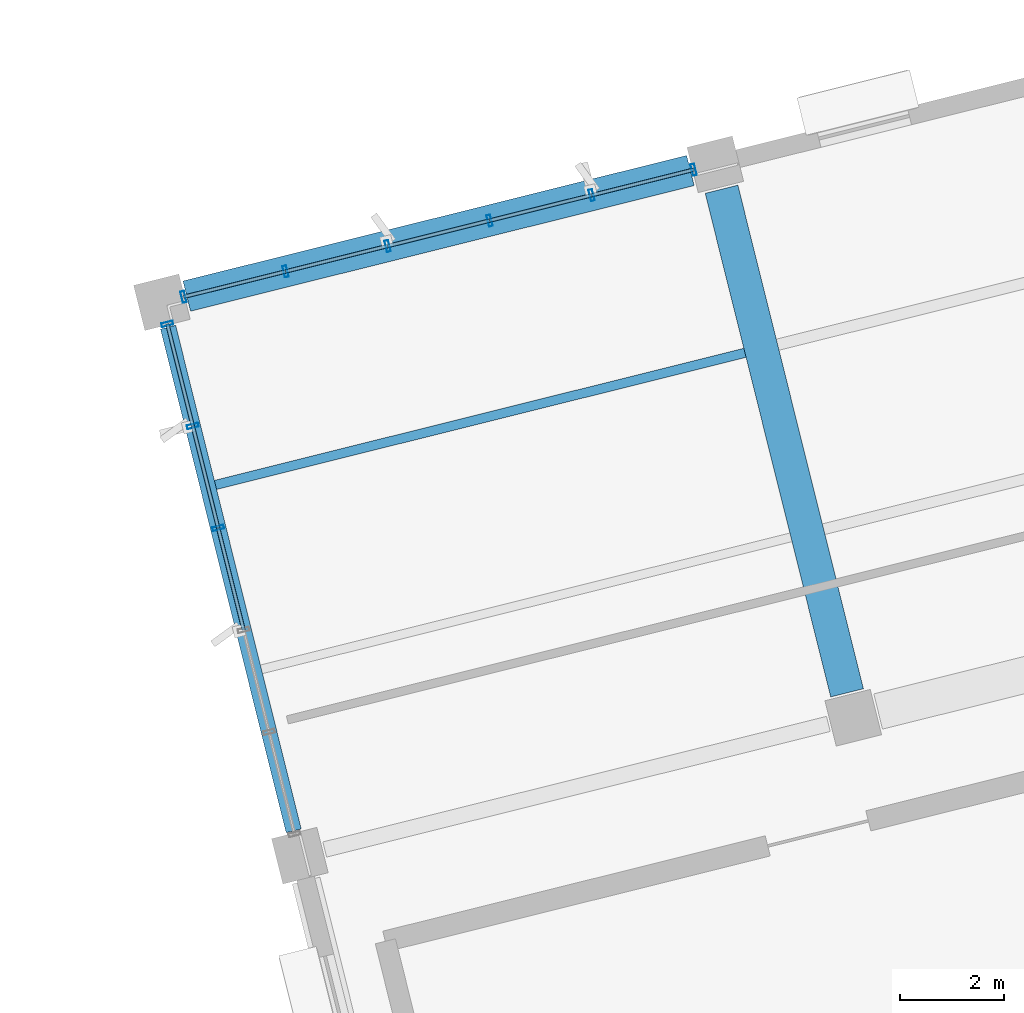
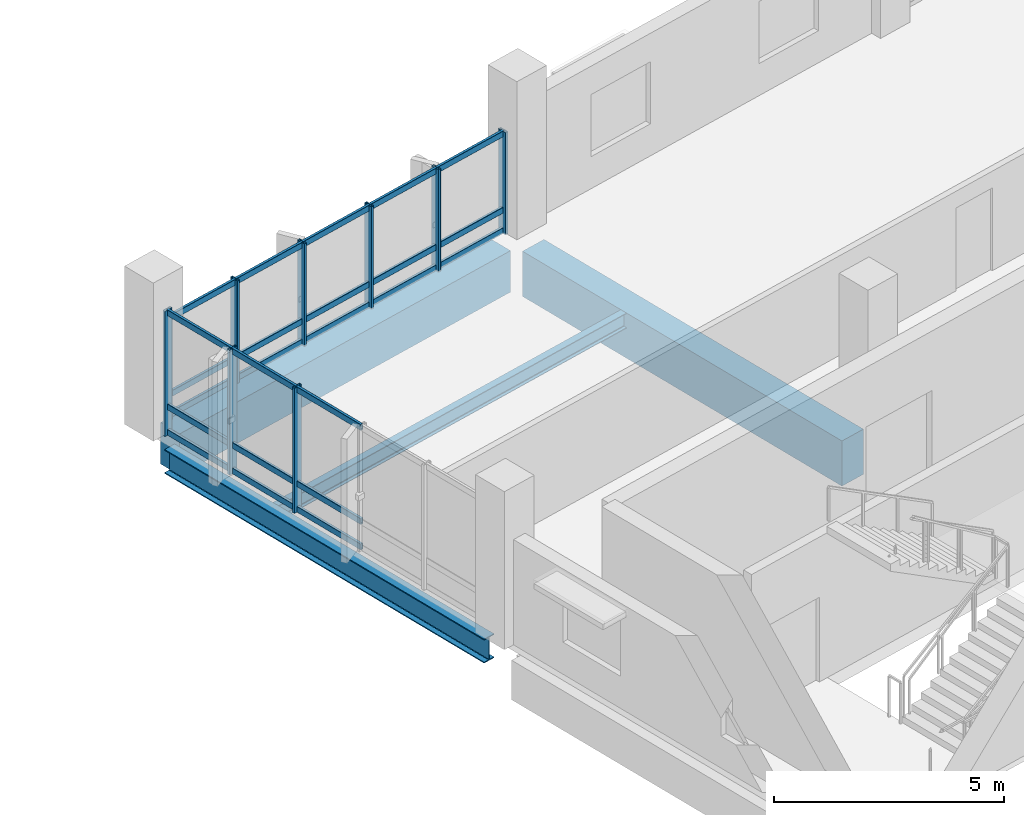
# One storey, part 4 of 42: 33 members, 4 beams, 2 elements without a shape of their own.
"""IFC4 building model written with IfcOpenShell, lengths in metres."""

from ifc_helpers import new_model, si_unit, direction, frame, origin, origin_2d, place, context, subcontext, project, spatial, rectangle, hollow_rectangle, i_section, extrude, material, layer, layer_set, material_profile, profile_set, type_object, element, aggregate, save


model = new_model("IFC4")

# Units and contexts
model_context = context("Model", 3, precision=1e-05, world=origin(), true_north=direction((0.0, 1.0)))
body_context = subcontext(model_context, "Body", "Model", "MODEL_VIEW")
ifc_project = project(units=[si_unit("LENGTHUNIT", "METRE"), si_unit("AREAUNIT", "SQUARE_METRE"), si_unit("VOLUMEUNIT", "CUBIC_METRE"), si_unit("PLANEANGLEUNIT", "RADIAN"), si_unit("MASSUNIT", "GRAM", prefix="KILO")], contexts=[model_context])

# Site, building, storey
site_placement = place(None, origin())
site = spatial("IfcSite", under=ifc_project, at=site_placement, CompositionType="ELEMENT")
building_placement = place(site_placement, origin())
building = spatial("IfcBuilding", under=site, at=building_placement, Name="Khorjan Park Terminus", CompositionType="ELEMENT")
storey_placement = place(building_placement, frame((0.0, 0.0, 20.4)))
storey = spatial("IfcBuildingStorey", under=building, at=storey_placement, Name="L04", CompositionType="ELEMENT", Elevation=20.4)

# Beams
ifc_material_1 = material(Name="Steel S355", Category="steel")
ifc_material_profile_1 = material_profile(ifc_material_1, i_section(OverallWidth=0.3, OverallDepth=0.64, WebThickness=0.0135, FlangeThickness=0.026, FilletRadius=0.027, at=origin_2d()), Name="HEA 650")
ifc_profile_set_1 = profile_set([ifc_material_profile_1], Name="Steel S355")
beam_type_1 = type_object("IfcBeamType", Name="BM-HEA650", PredefinedType="BEAM", material=ifc_profile_set_1)
beam_1_placement = place(storey_placement, frame((173.8924, 15.8147, -0.66), z_axis=(-0.241926777576, 0.970294509049, 0.0), x_axis=(-0.970294509049, -0.241926777576, 0.0)))
element("IfcBeam", 1, at=beam_1_placement, inside=storey, type_object=beam_type_1, Name="Primary skew-grid floor girder SB-A65 (L04)", PredefinedType="BEAM", context=body_context, shape_type="SweptSolid", body=[
    extrude(i_section(OverallWidth=0.3, OverallDepth=0.64, WebThickness=0.0135, FlangeThickness=0.026, FilletRadius=0.027, at=origin_2d()), origin(), (0.0, 0.0, 1.0), 10.0101),
])
ifc_material_2 = material(Name="Concrete C40/50", Category="concrete")
ifc_material_profile_2 = material_profile(ifc_material_2, rectangle(XDim=0.6, YDim=1.1, at=origin_2d()), Name="RC 600x1100")
ifc_profile_set_2 = profile_set([ifc_material_profile_2], Name="Concrete C40/50")
beam_type_2 = type_object("IfcBeamType", Name="BM-RC600x1100", PredefinedType="BEAM", material=ifc_profile_set_2)
beam_2_placement = place(storey_placement, frame((171.8313, 26.1274, -0.89), z_axis=(0.970296269392, 0.24191971727, 0.0), x_axis=(-0.24191971727, 0.970296269392, 0.0)))
element("IfcBeam", 2, at=beam_2_placement, inside=storey, type_object=beam_type_2, Name="Primary skew-grid floor girder GB-11 (L04)", PredefinedType="BEAM", context=body_context, shape_type="SweptSolid", body=[
    extrude(rectangle(XDim=0.6, YDim=1.1, at=origin_2d()), origin(), (0.0, 0.0, 1.0), 10.0099),
])
ifc_material_profile_3 = material_profile(ifc_material_2, rectangle(XDim=0.65, YDim=1.2, at=origin_2d()), Name="RC 650x1200")
ifc_profile_set_3 = profile_set([ifc_material_profile_3], Name="Concrete C40/50")
beam_type_3 = type_object("IfcBeamType", Name="BM-RC650x1200", PredefinedType="BEAM", material=ifc_profile_set_3)
beam_3_placement = place(storey_placement, frame((184.5656, 18.4758, -0.94), z_axis=(-0.241917372283, 0.970296854054, 0.0), x_axis=(-0.970296854054, -0.241917372283, 0.0)))
element("IfcBeam", 3, at=beam_3_placement, inside=storey, type_object=beam_type_3, Name="Primary skew-grid floor girder GB-12 (L04)", PredefinedType="BEAM", context=body_context, shape_type="SweptSolid", body=[
    extrude(rectangle(XDim=0.65, YDim=1.2, at=origin_2d()), origin(), (0.0, 0.0, 1.0), 10.01),
])
ifc_material_profile_4 = material_profile(ifc_material_1, i_section(OverallWidth=0.18, OverallDepth=0.4, WebThickness=0.0086, FlangeThickness=0.0135, FilletRadius=0.021, at=origin_2d()), Name="IPE 400")
ifc_profile_set_4 = profile_set([ifc_material_profile_4], Name="Steel S355")
beam_type_4 = type_object("IfcBeamType", Name="JS-IPE400", PredefinedType="JOIST", material=ifc_profile_set_4)
beam_4_placement = place(storey_placement, frame((172.3836, 22.4862, -0.54), z_axis=(0.970296002015, 0.241920789668, 0.0), x_axis=(-0.241920789668, 0.970296002015, 0.0)))
element("IfcBeam", 4, at=beam_4_placement, inside=storey, type_object=beam_type_4, Name="Secondary composite floor joist SJ-40 (L04)", PredefinedType="JOIST", context=body_context, shape_type="SweptSolid", body=[
    extrude(i_section(OverallWidth=0.18, OverallDepth=0.4, WebThickness=0.0086, FlangeThickness=0.0135, FilletRadius=0.021, at=origin_2d()), origin(), (0.0, 0.0, 1.0), 10.5249),
])

# Curtain wall, members
ifc_material_3 = material(Name="Anodized Bronze Aluminium", Category="aluminium")
ifc_layer = layer(ifc_material_3, 0.22)
ifc_layer_set = layer_set([ifc_layer], Name="Anodized Bronze Aluminium")
curtain_wall_type = type_object("IfcCurtainWallType", Name="CW-OPS-B", PredefinedType="NOTDEFINED", material=ifc_layer_set)
curtain_wall_1_placement = place(storey_placement, origin())
curtain_wall_1 = element("IfcCurtainWall", 5, at=curtain_wall_1_placement, inside=storey, type_object=curtain_wall_type, Name="Unitized curtain wall CW-B (CW-V5-NW2-L04-B03)", PredefinedType="NOTDEFINED")
ifc_material_profile_5 = material_profile(ifc_material_3, hollow_rectangle(XDim=0.075, YDim=0.225, WallThickness=0.005, InnerFilletRadius=0.005, OuterFilletRadius=0.01, at=origin_2d()), Name="ALM 75x225x5")
ifc_profile_set_5 = profile_set([ifc_material_profile_5], Name="Anodized Bronze Aluminium")
member_type_1 = type_object("IfcMemberType", Name="ML-ALM-225", PredefinedType="MULLION", material=ifc_profile_set_5)
member_1_placement = place(storey_placement, frame((181.6068, 28.5647, -0.035), z_axis=(0.0, 0.0, 1.0), x_axis=(-0.9702960401, -0.241920636916, 0.0)))
member_1 = element("IfcMember", 6, at=member_1_placement, type_object=member_type_1, Name="Curtain-wall mullion ML-22 (CW-V5-NW2-L04-B03-0)", PredefinedType="MULLION", context=body_context, shape_type="SweptSolid", body=[
    extrude(hollow_rectangle(XDim=0.075, YDim=0.225, WallThickness=0.005, InnerFilletRadius=0.005, OuterFilletRadius=0.01, at=origin_2d()), origin(), (0.0, 0.0, 1.0), 2.72),
])
member_2_placement = place(storey_placement, frame((179.6391, 28.0741, -0.035), z_axis=(0.0, 0.0, 1.0), x_axis=(-0.9702960401, -0.241920636916, 0.0)))
member_2 = element("IfcMember", 7, at=member_2_placement, type_object=member_type_1, Name="Curtain-wall mullion ML-22 (CW-V5-NW2-L04-B03-1)", PredefinedType="MULLION", context=body_context, shape_type="SweptSolid", body=[
    extrude(hollow_rectangle(XDim=0.075, YDim=0.225, WallThickness=0.005, InnerFilletRadius=0.005, OuterFilletRadius=0.01, at=origin_2d()), origin(), (0.0, 0.0, 1.0), 2.72),
])
member_3_placement = place(storey_placement, frame((177.6714, 27.5835, -0.035), z_axis=(0.0, 0.0, 1.0), x_axis=(-0.9702960401, -0.241920636916, 0.0)))
member_3 = element("IfcMember", 8, at=member_3_placement, type_object=member_type_1, Name="Curtain-wall mullion ML-22 (CW-V5-NW2-L04-B03-2)", PredefinedType="MULLION", context=body_context, shape_type="SweptSolid", body=[
    extrude(hollow_rectangle(XDim=0.075, YDim=0.225, WallThickness=0.005, InnerFilletRadius=0.005, OuterFilletRadius=0.01, at=origin_2d()), origin(), (0.0, 0.0, 1.0), 2.72),
])
member_4_placement = place(storey_placement, frame((175.7037, 27.0929, -0.035), z_axis=(0.0, 0.0, 1.0), x_axis=(-0.9702960401, -0.241920636916, 0.0)))
member_4 = element("IfcMember", 9, at=member_4_placement, type_object=member_type_1, Name="Curtain-wall mullion ML-22 (CW-V5-NW2-L04-B03-3)", PredefinedType="MULLION", context=body_context, shape_type="SweptSolid", body=[
    extrude(hollow_rectangle(XDim=0.075, YDim=0.225, WallThickness=0.005, InnerFilletRadius=0.005, OuterFilletRadius=0.01, at=origin_2d()), origin(), (0.0, 0.0, 1.0), 2.72),
])
member_5_placement = place(storey_placement, frame((173.736, 26.6023, -0.035), z_axis=(0.0, 0.0, 1.0), x_axis=(-0.9702960401, -0.241920636916, 0.0)))
member_5 = element("IfcMember", 10, at=member_5_placement, type_object=member_type_1, Name="Curtain-wall mullion ML-22 (CW-V5-NW2-L04-B03-4)", PredefinedType="MULLION", context=body_context, shape_type="SweptSolid", body=[
    extrude(hollow_rectangle(XDim=0.075, YDim=0.225, WallThickness=0.005, InnerFilletRadius=0.005, OuterFilletRadius=0.01, at=origin_2d()), origin(), (0.0, 0.0, 1.0), 2.72),
])
member_6_placement = place(storey_placement, frame((171.7683, 26.1117, -0.035), z_axis=(0.0, 0.0, 1.0), x_axis=(-0.9702960401, -0.241920636916, 0.0)))
member_6 = element("IfcMember", 11, at=member_6_placement, type_object=member_type_1, Name="Curtain-wall mullion ML-22 (CW-V5-NW2-L04-B03-5)", PredefinedType="MULLION", context=body_context, shape_type="SweptSolid", body=[
    extrude(hollow_rectangle(XDim=0.075, YDim=0.225, WallThickness=0.005, InnerFilletRadius=0.005, OuterFilletRadius=0.01, at=origin_2d()), origin(), (0.0, 0.0, 1.0), 2.72),
])

curtain_wall_2_placement = place(storey_placement, origin())
curtain_wall_2 = element("IfcCurtainWall", 12, at=curtain_wall_2_placement, inside=storey, type_object=curtain_wall_type, Name="Unitized curtain wall CW-B (CW-V5-W-L04-B01)", PredefinedType="NOTDEFINED")
member_7_placement = place(storey_placement, frame((171.4549, 25.5907, -0.035), z_axis=(0.0, 0.0, 1.0), x_axis=(0.241927656308, -0.970294289952, 0.0)))
member_7 = element("IfcMember", 13, at=member_7_placement, type_object=member_type_1, Name="Curtain-wall mullion ML-22 (CW-V5-W-L04-B01-0)", PredefinedType="MULLION", context=body_context, shape_type="SweptSolid", body=[
    extrude(hollow_rectangle(XDim=0.075, YDim=0.225, WallThickness=0.005, InnerFilletRadius=0.005, OuterFilletRadius=0.01, at=origin_2d()), origin(), (0.0, 0.0, 1.0), 3.325),
])
member_8_placement = place(storey_placement, frame((171.9456, 23.6228, -0.035), z_axis=(0.0, 0.0, 1.0), x_axis=(0.241927656308, -0.970294289952, 0.0)))
member_8 = element("IfcMember", 14, at=member_8_placement, type_object=member_type_1, Name="Curtain-wall mullion ML-22 (CW-V5-W-L04-B01-1)", PredefinedType="MULLION", context=body_context, shape_type="SweptSolid", body=[
    extrude(hollow_rectangle(XDim=0.075, YDim=0.225, WallThickness=0.005, InnerFilletRadius=0.005, OuterFilletRadius=0.01, at=origin_2d()), origin(), (0.0, 0.0, 1.0), 3.325),
])
member_9_placement = place(storey_placement, frame((172.4362, 21.6549, -0.035), z_axis=(0.0, 0.0, 1.0), x_axis=(0.241927656308, -0.970294289952, 0.0)))
member_9 = element("IfcMember", 15, at=member_9_placement, type_object=member_type_1, Name="Curtain-wall mullion ML-22 (CW-V5-W-L04-B01-2)", PredefinedType="MULLION", context=body_context, shape_type="SweptSolid", body=[
    extrude(hollow_rectangle(XDim=0.075, YDim=0.225, WallThickness=0.005, InnerFilletRadius=0.005, OuterFilletRadius=0.01, at=origin_2d()), origin(), (0.0, 0.0, 1.0), 3.325),
])

# Member
ifc_material_profile_6 = material_profile(ifc_material_3, hollow_rectangle(XDim=0.07, YDim=0.16, WallThickness=0.004, InnerFilletRadius=0.004, OuterFilletRadius=0.008, at=origin_2d()), Name="ALT 70x160x4")
ifc_profile_set_6 = profile_set([ifc_material_profile_6], Name="Anodized Bronze Aluminium")
member_type_2 = type_object("IfcMemberType", Name="TR-ALT-160", PredefinedType="USERDEFINED", material=ifc_profile_set_6)
member_10_placement = place(storey_placement, frame((181.6068, 28.5647, 0.04), z_axis=(-0.970296040099, -0.241920636922, 0.0), x_axis=(0.241920636922, -0.970296040099, 0.0)))
member_10 = element("IfcMember", 16, at=member_10_placement, type_object=member_type_2, Name="Curtain-wall transom TR-16 (CW-V5-NW2-L04-B03-0-1)", ObjectType="TRANSOM", PredefinedType="USERDEFINED", context=body_context, shape_type="SweptSolid", body=[
    extrude(hollow_rectangle(XDim=0.07, YDim=0.16, WallThickness=0.004, InnerFilletRadius=0.004, OuterFilletRadius=0.008, at=origin_2d()), origin(), (0.0, 0.0, 1.0), 2.0279),
])

member_11_placement = place(storey_placement, frame((181.6068, 28.5647, 0.583), z_axis=(-0.970296040099, -0.241920636922, 0.0), x_axis=(0.241920636922, -0.970296040099, 0.0)))
member_11 = element("IfcMember", 17, at=member_11_placement, type_object=member_type_2, Name="Curtain-wall transom TR-16 (CW-V5-NW2-L04-B03-0-2)", ObjectType="TRANSOM", PredefinedType="USERDEFINED", context=body_context, shape_type="SweptSolid", body=[
    extrude(hollow_rectangle(XDim=0.07, YDim=0.16, WallThickness=0.004, InnerFilletRadius=0.004, OuterFilletRadius=0.008, at=origin_2d()), origin(), (0.0, 0.0, 1.0), 2.0279),
])

member_12_placement = place(storey_placement, frame((181.6068, 28.5647, 2.61), z_axis=(-0.970296040099, -0.241920636922, 0.0), x_axis=(0.241920636922, -0.970296040099, 0.0)))
member_12 = element("IfcMember", 18, at=member_12_placement, type_object=member_type_2, Name="Curtain-wall transom TR-16 (CW-V5-NW2-L04-B03-0-3)", ObjectType="TRANSOM", PredefinedType="USERDEFINED", context=body_context, shape_type="SweptSolid", body=[
    extrude(hollow_rectangle(XDim=0.07, YDim=0.16, WallThickness=0.004, InnerFilletRadius=0.004, OuterFilletRadius=0.008, at=origin_2d()), origin(), (0.0, 0.0, 1.0), 2.0279),
])

member_13_placement = place(storey_placement, frame((179.6391, 28.0741, 0.04), z_axis=(-0.970296040099, -0.241920636922, 0.0), x_axis=(0.241920636922, -0.970296040099, 0.0)))
member_13 = element("IfcMember", 19, at=member_13_placement, type_object=member_type_2, Name="Curtain-wall transom TR-16 (CW-V5-NW2-L04-B03-1-1)", ObjectType="TRANSOM", PredefinedType="USERDEFINED", context=body_context, shape_type="SweptSolid", body=[
    extrude(hollow_rectangle(XDim=0.07, YDim=0.16, WallThickness=0.004, InnerFilletRadius=0.004, OuterFilletRadius=0.008, at=origin_2d()), origin(), (0.0, 0.0, 1.0), 2.0279),
])

member_14_placement = place(storey_placement, frame((179.6391, 28.0741, 0.583), z_axis=(-0.970296040099, -0.241920636922, 0.0), x_axis=(0.241920636922, -0.970296040099, 0.0)))
member_14 = element("IfcMember", 20, at=member_14_placement, type_object=member_type_2, Name="Curtain-wall transom TR-16 (CW-V5-NW2-L04-B03-1-2)", ObjectType="TRANSOM", PredefinedType="USERDEFINED", context=body_context, shape_type="SweptSolid", body=[
    extrude(hollow_rectangle(XDim=0.07, YDim=0.16, WallThickness=0.004, InnerFilletRadius=0.004, OuterFilletRadius=0.008, at=origin_2d()), origin(), (0.0, 0.0, 1.0), 2.0279),
])

member_15_placement = place(storey_placement, frame((179.6391, 28.0741, 2.61), z_axis=(-0.970296040099, -0.241920636922, 0.0), x_axis=(0.241920636922, -0.970296040099, 0.0)))
member_15 = element("IfcMember", 21, at=member_15_placement, type_object=member_type_2, Name="Curtain-wall transom TR-16 (CW-V5-NW2-L04-B03-1-3)", ObjectType="TRANSOM", PredefinedType="USERDEFINED", context=body_context, shape_type="SweptSolid", body=[
    extrude(hollow_rectangle(XDim=0.07, YDim=0.16, WallThickness=0.004, InnerFilletRadius=0.004, OuterFilletRadius=0.008, at=origin_2d()), origin(), (0.0, 0.0, 1.0), 2.0279),
])

member_16_placement = place(storey_placement, frame((177.6714, 27.5835, 0.04), z_axis=(-0.970296040099, -0.241920636922, 0.0), x_axis=(0.241920636922, -0.970296040099, 0.0)))
member_16 = element("IfcMember", 22, at=member_16_placement, type_object=member_type_2, Name="Curtain-wall transom TR-16 (CW-V5-NW2-L04-B03-2-1)", ObjectType="TRANSOM", PredefinedType="USERDEFINED", context=body_context, shape_type="SweptSolid", body=[
    extrude(hollow_rectangle(XDim=0.07, YDim=0.16, WallThickness=0.004, InnerFilletRadius=0.004, OuterFilletRadius=0.008, at=origin_2d()), origin(), (0.0, 0.0, 1.0), 2.0279),
])

member_17_placement = place(storey_placement, frame((177.6714, 27.5835, 0.583), z_axis=(-0.970296040099, -0.241920636922, 0.0), x_axis=(0.241920636922, -0.970296040099, 0.0)))
member_17 = element("IfcMember", 23, at=member_17_placement, type_object=member_type_2, Name="Curtain-wall transom TR-16 (CW-V5-NW2-L04-B03-2-2)", ObjectType="TRANSOM", PredefinedType="USERDEFINED", context=body_context, shape_type="SweptSolid", body=[
    extrude(hollow_rectangle(XDim=0.07, YDim=0.16, WallThickness=0.004, InnerFilletRadius=0.004, OuterFilletRadius=0.008, at=origin_2d()), origin(), (0.0, 0.0, 1.0), 2.0279),
])

member_18_placement = place(storey_placement, frame((177.6714, 27.5835, 2.61), z_axis=(-0.970296040099, -0.241920636922, 0.0), x_axis=(0.241920636922, -0.970296040099, 0.0)))
member_18 = element("IfcMember", 24, at=member_18_placement, type_object=member_type_2, Name="Curtain-wall transom TR-16 (CW-V5-NW2-L04-B03-2-3)", ObjectType="TRANSOM", PredefinedType="USERDEFINED", context=body_context, shape_type="SweptSolid", body=[
    extrude(hollow_rectangle(XDim=0.07, YDim=0.16, WallThickness=0.004, InnerFilletRadius=0.004, OuterFilletRadius=0.008, at=origin_2d()), origin(), (0.0, 0.0, 1.0), 2.0279),
])

member_19_placement = place(storey_placement, frame((175.7037, 27.0929, 0.04), z_axis=(-0.970296040099, -0.241920636922, 0.0), x_axis=(0.241920636922, -0.970296040099, 0.0)))
member_19 = element("IfcMember", 25, at=member_19_placement, type_object=member_type_2, Name="Curtain-wall transom TR-16 (CW-V5-NW2-L04-B03-3-1)", ObjectType="TRANSOM", PredefinedType="USERDEFINED", context=body_context, shape_type="SweptSolid", body=[
    extrude(hollow_rectangle(XDim=0.07, YDim=0.16, WallThickness=0.004, InnerFilletRadius=0.004, OuterFilletRadius=0.008, at=origin_2d()), origin(), (0.0, 0.0, 1.0), 2.0279),
])

member_20_placement = place(storey_placement, frame((175.7037, 27.0929, 0.583), z_axis=(-0.970296040099, -0.241920636922, 0.0), x_axis=(0.241920636922, -0.970296040099, 0.0)))
member_20 = element("IfcMember", 26, at=member_20_placement, type_object=member_type_2, Name="Curtain-wall transom TR-16 (CW-V5-NW2-L04-B03-3-2)", ObjectType="TRANSOM", PredefinedType="USERDEFINED", context=body_context, shape_type="SweptSolid", body=[
    extrude(hollow_rectangle(XDim=0.07, YDim=0.16, WallThickness=0.004, InnerFilletRadius=0.004, OuterFilletRadius=0.008, at=origin_2d()), origin(), (0.0, 0.0, 1.0), 2.0279),
])

member_21_placement = place(storey_placement, frame((175.7037, 27.0929, 2.61), z_axis=(-0.970296040099, -0.241920636922, 0.0), x_axis=(0.241920636922, -0.970296040099, 0.0)))
member_21 = element("IfcMember", 27, at=member_21_placement, type_object=member_type_2, Name="Curtain-wall transom TR-16 (CW-V5-NW2-L04-B03-3-3)", ObjectType="TRANSOM", PredefinedType="USERDEFINED", context=body_context, shape_type="SweptSolid", body=[
    extrude(hollow_rectangle(XDim=0.07, YDim=0.16, WallThickness=0.004, InnerFilletRadius=0.004, OuterFilletRadius=0.008, at=origin_2d()), origin(), (0.0, 0.0, 1.0), 2.0279),
])

member_22_placement = place(storey_placement, frame((173.736, 26.6023, 0.04), z_axis=(-0.970296040099, -0.241920636922, 0.0), x_axis=(0.241920636922, -0.970296040099, 0.0)))
member_22 = element("IfcMember", 28, at=member_22_placement, type_object=member_type_2, Name="Curtain-wall transom TR-16 (CW-V5-NW2-L04-B03-4-1)", ObjectType="TRANSOM", PredefinedType="USERDEFINED", context=body_context, shape_type="SweptSolid", body=[
    extrude(hollow_rectangle(XDim=0.07, YDim=0.16, WallThickness=0.004, InnerFilletRadius=0.004, OuterFilletRadius=0.008, at=origin_2d()), origin(), (0.0, 0.0, 1.0), 2.0279),
])

member_23_placement = place(storey_placement, frame((173.736, 26.6023, 0.583), z_axis=(-0.970296040099, -0.241920636922, 0.0), x_axis=(0.241920636922, -0.970296040099, 0.0)))
member_23 = element("IfcMember", 29, at=member_23_placement, type_object=member_type_2, Name="Curtain-wall transom TR-16 (CW-V5-NW2-L04-B03-4-2)", ObjectType="TRANSOM", PredefinedType="USERDEFINED", context=body_context, shape_type="SweptSolid", body=[
    extrude(hollow_rectangle(XDim=0.07, YDim=0.16, WallThickness=0.004, InnerFilletRadius=0.004, OuterFilletRadius=0.008, at=origin_2d()), origin(), (0.0, 0.0, 1.0), 2.0279),
])

member_24_placement = place(storey_placement, frame((173.736, 26.6023, 2.61), z_axis=(-0.970296040099, -0.241920636922, 0.0), x_axis=(0.241920636922, -0.970296040099, 0.0)))
member_24 = element("IfcMember", 30, at=member_24_placement, type_object=member_type_2, Name="Curtain-wall transom TR-16 (CW-V5-NW2-L04-B03-4-3)", ObjectType="TRANSOM", PredefinedType="USERDEFINED", context=body_context, shape_type="SweptSolid", body=[
    extrude(hollow_rectangle(XDim=0.07, YDim=0.16, WallThickness=0.004, InnerFilletRadius=0.004, OuterFilletRadius=0.008, at=origin_2d()), origin(), (0.0, 0.0, 1.0), 2.0279),
])

aggregate(curtain_wall_1, [member_1, member_2, member_3, member_4, member_5, member_6, member_10, member_11, member_12, member_13, member_14, member_15, member_16, member_17, member_18, member_19, member_20, member_21, member_22, member_23, member_24])

member_25_placement = place(storey_placement, frame((171.4549, 25.5907, 0.04), z_axis=(0.241943909477, -0.970290237335, 0.0), x_axis=(0.970290237335, 0.241943909477, 0.0)))
member_25 = element("IfcMember", 31, at=member_25_placement, type_object=member_type_2, Name="Curtain-wall transom TR-16 (CW-V5-W-L04-B01-0-1)", ObjectType="TRANSOM", PredefinedType="USERDEFINED", context=body_context, shape_type="SweptSolid", body=[
    extrude(hollow_rectangle(XDim=0.07, YDim=0.16, WallThickness=0.004, InnerFilletRadius=0.004, OuterFilletRadius=0.008, at=origin_2d()), origin(), (0.0, 0.0, 1.0), 2.0282),
])

member_26_placement = place(storey_placement, frame((171.4549, 25.5907, 0.716), z_axis=(0.241943909477, -0.970290237335, 0.0), x_axis=(0.970290237335, 0.241943909477, 0.0)))
member_26 = element("IfcMember", 32, at=member_26_placement, type_object=member_type_2, Name="Curtain-wall transom TR-16 (CW-V5-W-L04-B01-0-2)", ObjectType="TRANSOM", PredefinedType="USERDEFINED", context=body_context, shape_type="SweptSolid", body=[
    extrude(hollow_rectangle(XDim=0.07, YDim=0.16, WallThickness=0.004, InnerFilletRadius=0.004, OuterFilletRadius=0.008, at=origin_2d()), origin(), (0.0, 0.0, 1.0), 2.0282),
])

member_27_placement = place(storey_placement, frame((171.4549, 25.5907, 3.215), z_axis=(0.241943909477, -0.970290237335, 0.0), x_axis=(0.970290237335, 0.241943909477, 0.0)))
member_27 = element("IfcMember", 33, at=member_27_placement, type_object=member_type_2, Name="Curtain-wall transom TR-16 (CW-V5-W-L04-B01-0-3)", ObjectType="TRANSOM", PredefinedType="USERDEFINED", context=body_context, shape_type="SweptSolid", body=[
    extrude(hollow_rectangle(XDim=0.07, YDim=0.16, WallThickness=0.004, InnerFilletRadius=0.004, OuterFilletRadius=0.008, at=origin_2d()), origin(), (0.0, 0.0, 1.0), 2.0282),
])

member_28_placement = place(storey_placement, frame((171.9456, 23.6228, 0.04), z_axis=(0.241897488986, -0.970301811202, 0.0), x_axis=(0.970301811202, 0.241897488986, 0.0)))
member_28 = element("IfcMember", 34, at=member_28_placement, type_object=member_type_2, Name="Curtain-wall transom TR-16 (CW-V5-W-L04-B01-1-1)", ObjectType="TRANSOM", PredefinedType="USERDEFINED", context=body_context, shape_type="SweptSolid", body=[
    extrude(hollow_rectangle(XDim=0.07, YDim=0.16, WallThickness=0.004, InnerFilletRadius=0.004, OuterFilletRadius=0.008, at=origin_2d()), origin(), (0.0, 0.0, 1.0), 2.0281),
])

member_29_placement = place(storey_placement, frame((171.9456, 23.6228, 0.716), z_axis=(0.241897488986, -0.970301811202, 0.0), x_axis=(0.970301811202, 0.241897488986, 0.0)))
member_29 = element("IfcMember", 35, at=member_29_placement, type_object=member_type_2, Name="Curtain-wall transom TR-16 (CW-V5-W-L04-B01-1-2)", ObjectType="TRANSOM", PredefinedType="USERDEFINED", context=body_context, shape_type="SweptSolid", body=[
    extrude(hollow_rectangle(XDim=0.07, YDim=0.16, WallThickness=0.004, InnerFilletRadius=0.004, OuterFilletRadius=0.008, at=origin_2d()), origin(), (0.0, 0.0, 1.0), 2.0281),
])

member_30_placement = place(storey_placement, frame((171.9456, 23.6228, 3.215), z_axis=(0.241897488986, -0.970301811202, 0.0), x_axis=(0.970301811202, 0.241897488986, 0.0)))
member_30 = element("IfcMember", 36, at=member_30_placement, type_object=member_type_2, Name="Curtain-wall transom TR-16 (CW-V5-W-L04-B01-1-3)", ObjectType="TRANSOM", PredefinedType="USERDEFINED", context=body_context, shape_type="SweptSolid", body=[
    extrude(hollow_rectangle(XDim=0.07, YDim=0.16, WallThickness=0.004, InnerFilletRadius=0.004, OuterFilletRadius=0.008, at=origin_2d()), origin(), (0.0, 0.0, 1.0), 2.0281),
])

member_31_placement = place(storey_placement, frame((172.4362, 21.6549, 0.04), z_axis=(0.241955484854, -0.970287350917, 0.0), x_axis=(0.970287350917, 0.241955484854, 0.0)))
member_31 = element("IfcMember", 37, at=member_31_placement, type_object=member_type_2, Name="Curtain-wall transom TR-16 (CW-V5-W-L04-B01-2-1)", ObjectType="TRANSOM", PredefinedType="USERDEFINED", context=body_context, shape_type="SweptSolid", body=[
    extrude(hollow_rectangle(XDim=0.07, YDim=0.16, WallThickness=0.004, InnerFilletRadius=0.004, OuterFilletRadius=0.008, at=origin_2d()), origin(), (0.0, 0.0, 1.0), 2.0281),
])

member_32_placement = place(storey_placement, frame((172.4362, 21.6549, 0.716), z_axis=(0.241955484854, -0.970287350917, 0.0), x_axis=(0.970287350917, 0.241955484854, 0.0)))
member_32 = element("IfcMember", 38, at=member_32_placement, type_object=member_type_2, Name="Curtain-wall transom TR-16 (CW-V5-W-L04-B01-2-2)", ObjectType="TRANSOM", PredefinedType="USERDEFINED", context=body_context, shape_type="SweptSolid", body=[
    extrude(hollow_rectangle(XDim=0.07, YDim=0.16, WallThickness=0.004, InnerFilletRadius=0.004, OuterFilletRadius=0.008, at=origin_2d()), origin(), (0.0, 0.0, 1.0), 2.0281),
])

member_33_placement = place(storey_placement, frame((172.4362, 21.6549, 3.215), z_axis=(0.241955484854, -0.970287350917, 0.0), x_axis=(0.970287350917, 0.241955484854, 0.0)))
member_33 = element("IfcMember", 39, at=member_33_placement, type_object=member_type_2, Name="Curtain-wall transom TR-16 (CW-V5-W-L04-B01-2-3)", ObjectType="TRANSOM", PredefinedType="USERDEFINED", context=body_context, shape_type="SweptSolid", body=[
    extrude(hollow_rectangle(XDim=0.07, YDim=0.16, WallThickness=0.004, InnerFilletRadius=0.004, OuterFilletRadius=0.008, at=origin_2d()), origin(), (0.0, 0.0, 1.0), 2.0281),
])

aggregate(curtain_wall_2, [member_7, member_8, member_9, member_25, member_26, member_27, member_28, member_29, member_30, member_31, member_32, member_33])

save(model, "model.ifc")
